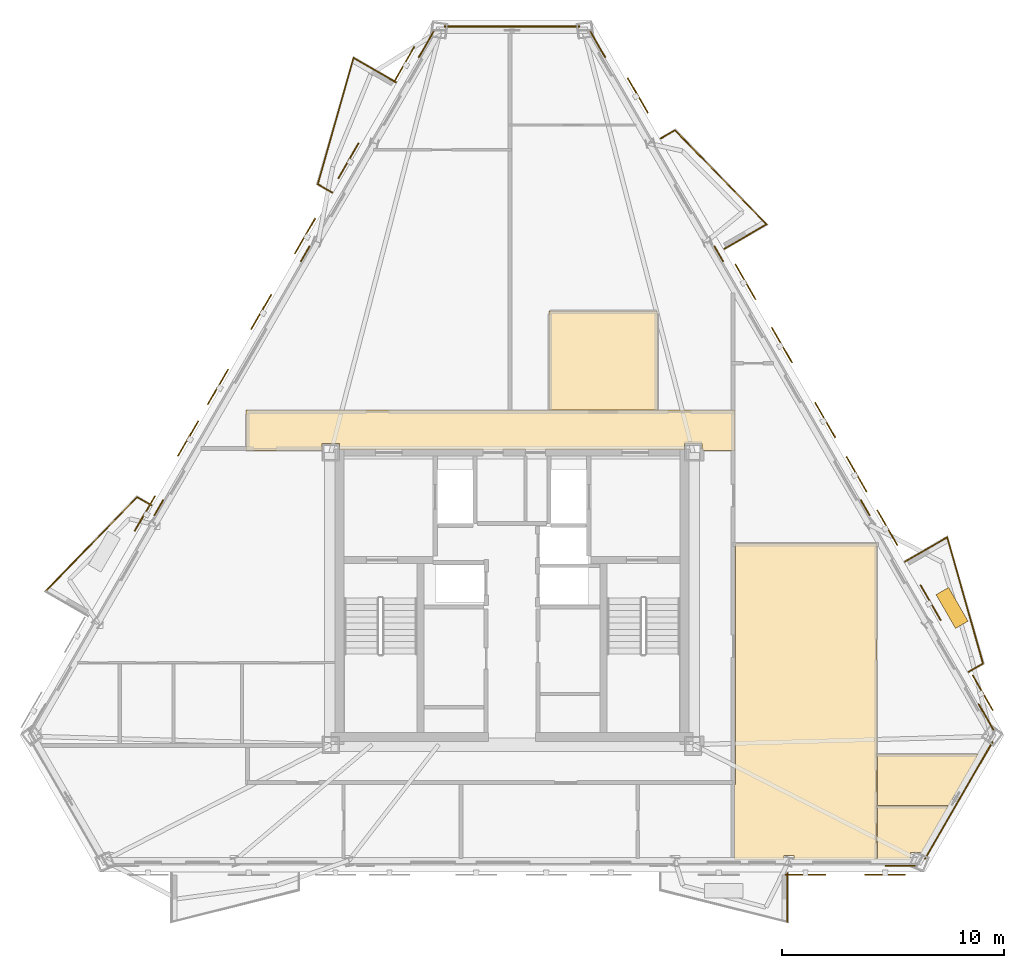
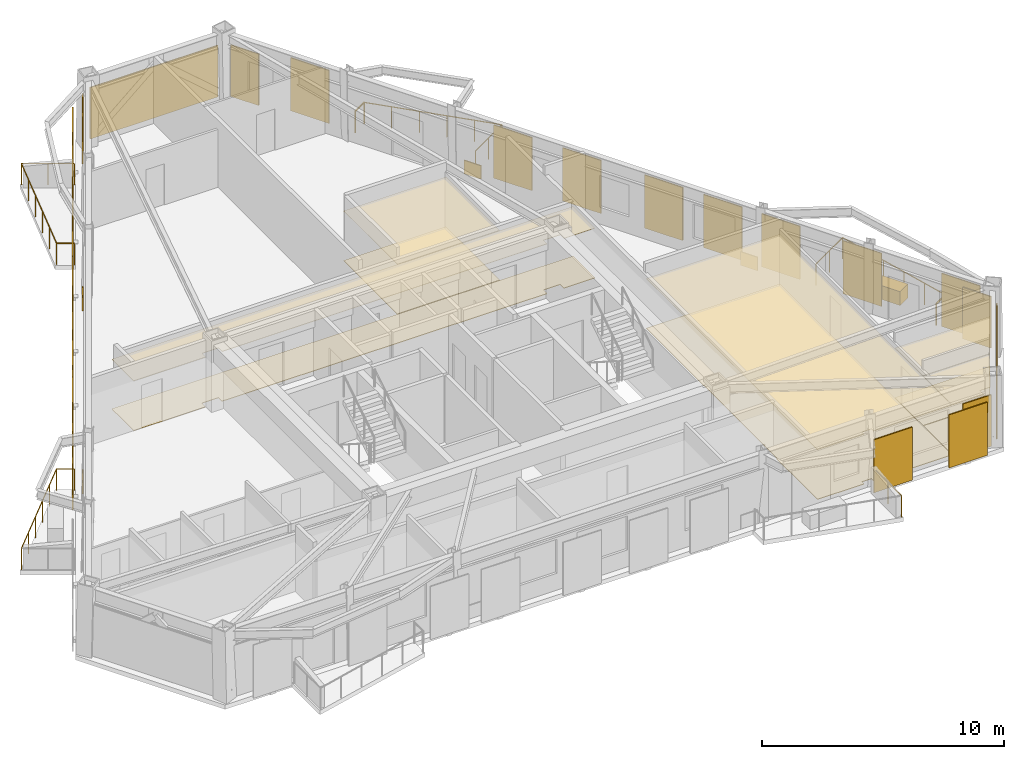
# One storey, part 9 of 9: 21 coverings, 17 shading devices, 12 railings.
"""IFC4 building model written with IfcOpenShell, lengths in metres."""

from ifc_helpers import new_model, si_unit, direction, frame, origin, origin_2d, place, context, subcontext, project, spatial, polyline, rectangle, circle, outline, extrude, material, layer, layer_set, type_object, element, save


model = new_model("IFC4")

# Units and contexts
model_context = context("Model", 3, precision=1e-05, world=origin(), true_north=direction((0.0, 1.0)))
body_context = subcontext(model_context, "Body", "Model", "MODEL_VIEW")
ifc_project = project(units=[si_unit("LENGTHUNIT", "METRE"), si_unit("AREAUNIT", "SQUARE_METRE"), si_unit("VOLUMEUNIT", "CUBIC_METRE"), si_unit("PLANEANGLEUNIT", "RADIAN"), si_unit("MASSUNIT", "GRAM", prefix="KILO")], contexts=[model_context])

# Site, building, storey
site_placement = place(None, origin())
site = spatial("IfcSite", under=ifc_project, at=site_placement, CompositionType="ELEMENT")
building_placement = place(site_placement, origin())
building = spatial("IfcBuilding", under=site, at=building_placement, Name="Oramaril Tower", CompositionType="ELEMENT")
storey_placement = place(building_placement, frame((0.0, 0.0, 219.89990234375)))
storey = spatial("IfcBuildingStorey", under=building, at=storey_placement, Name="L58", CompositionType="ELEMENT", Elevation=219.89990234375)

# Coverings
ifc_material_1 = material(Name="Mineral Fibre Acoustic Ceiling")
ifc_layer_1 = layer(ifc_material_1, 0.02001953125)
ifc_layer_set_1 = layer_set([ifc_layer_1], Name="CVT-CEIL")
covering_type_1 = type_object("IfcCoveringType", Name="CVT-CEIL", PredefinedType="CEILING", material=ifc_layer_set_1)
covering_1_placement = place(storey_placement, frame((0.0, 0.0, 2.51220703125)))
element("IfcCovering", 1, at=covering_1_placement, inside=storey, type_object=covering_type_1, Name="L58 Acoustic Suspended Ceiling 2", PredefinedType="CEILING", context=body_context, shape_type="SweptSolid", body=[
    extrude(outline(polyline([(47.530029296875, 24.239990234375), (46.044921875, 24.239990234375), (46.044921875, 24.544921875), (45.2548828125, 24.544921875), (45.2548828125, 24.25), (29.7451171875, 24.25), (29.7451171875, 24.544921875), (28.955078125, 24.544921875), (28.955078125, 24.239990234375), (25.52001953125, 24.239990234375), (25.52001953125, 26.050048828125), (47.530029296875, 26.050048828125), (47.530029296875, 24.239990234375)])), origin(), (0.0, 0.0, 1.0), 0.019775390625),
])
covering_2_placement = place(storey_placement, frame((0.0, 0.0, 2.51220703125)))
element("IfcCovering", 2, at=covering_2_placement, inside=storey, type_object=covering_type_1, Name="L58 Acoustic Suspended Ceiling 4", PredefinedType="CEILING", context=body_context, shape_type="SweptSolid", body=[
    extrude(outline(polyline([(44.0419921875, 30.511962890625), (44.0419921875, 26.070068359375), (39.157958984375, 26.070068359375), (39.157958984375, 30.511962890625), (44.0419921875, 30.511962890625)])), origin(), (0.0, 0.0, 1.0), 0.019775390625),
])
covering_3_placement = place(storey_placement, frame((0.0, 0.0, 2.51220703125)))
element("IfcCovering", 3, at=covering_3_placement, inside=storey, type_object=covering_type_1, Name="L58 Acoustic Suspended Ceiling 14", PredefinedType="CEILING", context=body_context, shape_type="SweptSolid", body=[
    extrude(outline(polyline([(53.926513671875, 20.0419921875), (53.926513671875, 5.826171875), (50.193359375, 5.826171875), (50.193359375, 6.00341796875), (49.73583984375, 6.00341796875), (49.73583984375, 5.826171875), (47.511962890625, 5.826171875), (47.511962890625, 9.199951171875), (47.530029296875, 9.199951171875), (47.531982421875, 9.2001953125), (47.533935546875, 9.200439453125), (47.535888671875, 9.200927734375), (47.53759765625, 9.201416015625), (47.539306640625, 9.202392578125), (47.541015625, 9.203369140625), (47.542724609375, 9.20458984375), (47.544189453125, 9.205810546875), (47.54541015625, 9.207275390625), (47.546630859375, 9.208984375), (47.547607421875, 9.210693359375), (47.548583984375, 9.21240234375), (47.549072265625, 9.214111328125), (47.549560546875, 9.216064453125), (47.5498046875, 9.218017578125), (47.550048828125, 9.219970703125), (47.550048828125, 11.030029296875), (47.5498046875, 11.031982421875), (47.549560546875, 11.033935546875), (47.549072265625, 11.035888671875), (47.548583984375, 11.03759765625), (47.547607421875, 11.039306640625), (47.54736328125, 11.0400390625), (47.547607421875, 11.04052734375), (47.548583984375, 11.042236328125), (47.549072265625, 11.044189453125), (47.549560546875, 11.046142578125), (47.5498046875, 11.048095703125), (47.550048828125, 11.050048828125), (47.550048828125, 20.0419921875), (53.926513671875, 20.0419921875)])), origin(), (0.0, 0.0, 1.0), 0.019775390625),
])
covering_4_placement = place(storey_placement, frame((0.0, 0.0, 2.51220703125)))
element("IfcCovering", 4, at=covering_4_placement, inside=storey, type_object=covering_type_1, Name="L58 Acoustic Suspended Ceiling 15", PredefinedType="CEILING", context=body_context, shape_type="SweptSolid", body=[
    extrude(outline(polyline([(55.94384765625, 6.154052734375), (55.44677734375, 6.154052734375), (55.44677734375, 5.826171875), (53.946533203125, 5.826171875), (53.946533203125, 8.22998046875), (57.142333984375, 8.22998046875), (55.94384765625, 6.154052734375)])), origin(), (0.0, 0.0, 1.0), 0.019775390625),
])
covering_5_placement = place(storey_placement, frame((0.0, 0.0, 2.51220703125)))
element("IfcCovering", 5, at=covering_5_placement, inside=storey, type_object=covering_type_1, Name="L58 Acoustic Suspended Ceiling 16", PredefinedType="CEILING", context=body_context, shape_type="SweptSolid", body=[
    extrude(outline(polyline([(57.15234375, 8.247314453125), (57.15185546875, 8.24755859375), (57.14990234375, 8.248291015625), (57.148193359375, 8.2490234375), (57.146240234375, 8.24951171875), (57.144287109375, 8.249755859375), (57.142333984375, 8.25), (53.946533203125, 8.25), (53.946533203125, 10.56591796875), (58.490966796875, 10.56591796875), (57.15234375, 8.247314453125)])), origin(), (0.0, 0.0, 1.0), 0.019775390625),
])
ifc_material_2 = material(Name="Warm Cream Limestone", Category="masonry")
ifc_layer_2 = layer(ifc_material_2, 0.050048828125)
ifc_layer_set_2 = layer_set([ifc_layer_2], Name="CVT-CLD")
covering_type_2 = type_object("IfcCoveringType", Name="CVT-CLD", PredefinedType="CLADDING", material=ifc_layer_set_2)
covering_6_placement = place(storey_placement, frame((54.966796875, 5.550048828125, 0.0400390625), z_axis=(0.0, 0.0, 1.0), x_axis=(1.0, 0.0, 0.0)))
element("IfcCovering", 6, at=covering_6_placement, inside=storey, type_object=covering_type_2, Name="L58 Warm Cream Limestone Cladding", PredefinedType="CLADDING", context=body_context, shape_type="SweptSolid", body=[
    extrude(rectangle(XDim=1.35009765625, YDim=0.050048828125, at=origin_2d()), origin(), (0.0, 0.0, 1.0), 2.596923828125),
])
covering_7_placement = place(storey_placement, frame((57.610595703125, 8.489013671875, 0.0400390625), z_axis=(0.0, 0.0, 1.0), x_axis=(0.499992442484, 0.866029767075, 0.0)))
element("IfcCovering", 7, at=covering_7_placement, inside=storey, type_object=covering_type_2, Name="L58 Warm Cream Limestone Cladding", PredefinedType="CLADDING", context=body_context, shape_type="SweptSolid", body=[
    extrude(rectangle(XDim=6.09326171875, YDim=0.050048828125, at=origin_2d()), origin(), (0.0, 0.0, 1.0), 2.596923828125),
])
for number, where, z_axis, x_axis, name in (
    (8, (58.833984375, 12.248291015625, 0.0400390625), (0.0, 0.0, 1.0), (-0.4999984885, 0.866026276448, 0.0), "L58 Warm Cream Limestone Cladding"),
    (9, (41.3671875, 42.501708984375, 0.0400390625), (0.0, 0.0, 1.0), (-0.4999984885, 0.866026276448, 0.0), "L58 Warm Cream Limestone Cladding"),
):
    element("IfcCovering", number, at=place(storey_placement, frame(where, z_axis=z_axis, x_axis=x_axis)), inside=storey, type_object=covering_type_2, Name=name, PredefinedType="CLADDING", context=body_context, shape_type="SweptSolid", body=[
        extrude(rectangle(XDim=1.35009765625, YDim=0.050048828125, at=origin_2d()), origin(), (0.0, 0.0, 1.0), 2.596923828125),
    ])
for number, where, z_axis, x_axis, name in (
    (10, (53.3974609375, 21.664306640625, 0.0400390625), (0.0, 0.0, 1.0), (-0.4999984885, 0.866026276448, 0.0), "L58 Warm Cream Limestone Spandrel Cladding"),
    (11, (46.803466796875, 33.085693359375, 0.0400390625), (0.0, 0.0, 1.0), (-0.4999984885, 0.866026276448, 0.0), "L58 Warm Cream Limestone Spandrel Cladding"),
):
    element("IfcCovering", number, at=place(storey_placement, frame(where, z_axis=z_axis, x_axis=x_axis)), inside=storey, type_object=covering_type_2, Name=name, PredefinedType="CLADDING", context=body_context, shape_type="SweptSolid", body=[
        extrude(rectangle(XDim=0.800048828125, YDim=0.050048828125, at=origin_2d()), origin(), (0.0, 0.0, 1.0), 0.679931640625),
    ])
covering_8_placement = place(storey_placement, frame((37.5, 43.32177734375, 0.0400390625), z_axis=(0.0, 0.0, 1.0), x_axis=(-1.0, 0.0, 0.0)))
element("IfcCovering", 12, at=covering_8_placement, inside=storey, type_object=covering_type_2, Name="L58 Warm Cream Limestone Cladding", PredefinedType="CLADDING", context=body_context, shape_type="SweptSolid", body=[
    extrude(rectangle(XDim=6.09326171875, YDim=0.050048828125, at=origin_2d()), origin(), (0.0, 0.0, 1.0), 2.596923828125),
])
covering_9_placement = place(storey_placement, frame((33.6328125, 42.501708984375, 0.0400390625), z_axis=(0.0, 0.0, 1.0), x_axis=(-0.4999984885, -0.866026276448, 0.0)))
element("IfcCovering", 13, at=covering_9_placement, inside=storey, type_object=covering_type_2, Name="L58 Warm Cream Limestone Cladding", PredefinedType="CLADDING", context=body_context, shape_type="SweptSolid", body=[
    extrude(rectangle(XDim=1.35009765625, YDim=0.050048828125, at=origin_2d()), origin(), (0.0, 0.0, 1.0), 2.596923828125),
])
for number, where, z_axis, x_axis, name in (
    (14, (28.196533203125, 33.085693359375, 0.0400390625), (0.0, 0.0, 1.0), (-0.4999984885, -0.866026276448, 0.0), "L58 Warm Cream Limestone Spandrel Cladding"),
    (15, (21.6025390625, 21.664306640625, 0.0400390625), (0.0, 0.0, 1.0), (-0.4999984885, -0.866026276448, 0.0), "L58 Warm Cream Limestone Spandrel Cladding"),
):
    element("IfcCovering", number, at=place(storey_placement, frame(where, z_axis=z_axis, x_axis=x_axis)), inside=storey, type_object=covering_type_2, Name=name, PredefinedType="CLADDING", context=body_context, shape_type="SweptSolid", body=[
        extrude(rectangle(XDim=0.800048828125, YDim=0.050048828125, at=origin_2d()), origin(), (0.0, 0.0, 1.0), 0.679931640625),
    ])
covering_10_placement = place(storey_placement, frame((57.306640625, 17.150634765625, 0.0), z_axis=(0.0, 0.0, 1.0), x_axis=(-0.5, 0.866025403784, 0.0)))
element("IfcCovering", 16, at=covering_10_placement, inside=storey, type_object=covering_type_2, Name="L58 Structural Tree Planter Box L58-BAL-NE1", PredefinedType="CLADDING", context=body_context, shape_type="SweptSolid", body=[
    extrude(rectangle(XDim=1.75, YDim=0.64990234375, at=origin_2d()), origin(), (0.0, 0.0, 1.0), 0.699951171875),
])
ifc_material_3 = material(Name="Honed Quartzite Stone Flooring", Category="masonry")
ifc_layer_3 = layer(ifc_material_3, 0.02490234375)
ifc_layer_set_3 = layer_set([ifc_layer_3], Name="CVT-FLR")
covering_type_3 = type_object("IfcCoveringType", Name="CVT-FLR", PredefinedType="FLOORING", material=ifc_layer_set_3)
covering_11_placement = place(storey_placement, origin())
element("IfcCovering", 17, at=covering_11_placement, inside=storey, type_object=covering_type_3, Name="L58 Honed Stone Floor Finish 2", PredefinedType="FLOORING", context=body_context, shape_type="SweptSolid", body=[
    extrude(outline(polyline([(47.530029296875, 24.239990234375), (46.044921875, 24.239990234375), (46.044921875, 24.544921875), (45.2548828125, 24.544921875), (45.2548828125, 24.25), (29.7451171875, 24.25), (29.7451171875, 24.544921875), (28.955078125, 24.544921875), (28.955078125, 24.239990234375), (25.52001953125, 24.239990234375), (25.52001953125, 26.050048828125), (47.530029296875, 26.050048828125), (47.530029296875, 24.239990234375)])), origin(), (0.0, 0.0, 1.0), 0.025146484375),
])
covering_12_placement = place(storey_placement, origin())
element("IfcCovering", 18, at=covering_12_placement, inside=storey, type_object=covering_type_3, Name="L58 Honed Stone Floor Finish 4", PredefinedType="FLOORING", context=body_context, shape_type="SweptSolid", body=[
    extrude(outline(polyline([(44.0419921875, 30.511962890625), (44.0419921875, 26.070068359375), (39.157958984375, 26.070068359375), (39.157958984375, 30.511962890625), (44.0419921875, 30.511962890625)])), origin(), (0.0, 0.0, 1.0), 0.025146484375),
])
covering_13_placement = place(storey_placement, origin())
element("IfcCovering", 19, at=covering_13_placement, inside=storey, type_object=covering_type_3, Name="L58 Honed Stone Floor Finish 14", PredefinedType="FLOORING", context=body_context, shape_type="SweptSolid", body=[
    extrude(outline(polyline([(53.926513671875, 20.0419921875), (53.926513671875, 5.826171875), (50.193359375, 5.826171875), (50.193359375, 6.00341796875), (49.73583984375, 6.00341796875), (49.73583984375, 5.826171875), (47.511962890625, 5.826171875), (47.511962890625, 9.199951171875), (47.530029296875, 9.199951171875), (47.531982421875, 9.2001953125), (47.533935546875, 9.200439453125), (47.535888671875, 9.200927734375), (47.53759765625, 9.201416015625), (47.539306640625, 9.202392578125), (47.541015625, 9.203369140625), (47.542724609375, 9.20458984375), (47.544189453125, 9.205810546875), (47.54541015625, 9.207275390625), (47.546630859375, 9.208984375), (47.547607421875, 9.210693359375), (47.548583984375, 9.21240234375), (47.549072265625, 9.214111328125), (47.549560546875, 9.216064453125), (47.5498046875, 9.218017578125), (47.550048828125, 9.219970703125), (47.550048828125, 11.030029296875), (47.5498046875, 11.031982421875), (47.549560546875, 11.033935546875), (47.549072265625, 11.035888671875), (47.548583984375, 11.03759765625), (47.547607421875, 11.039306640625), (47.54736328125, 11.0400390625), (47.547607421875, 11.04052734375), (47.548583984375, 11.042236328125), (47.549072265625, 11.044189453125), (47.549560546875, 11.046142578125), (47.5498046875, 11.048095703125), (47.550048828125, 11.050048828125), (47.550048828125, 20.0419921875), (53.926513671875, 20.0419921875)])), origin(), (0.0, 0.0, 1.0), 0.025146484375),
])
covering_14_placement = place(storey_placement, origin())
element("IfcCovering", 20, at=covering_14_placement, inside=storey, type_object=covering_type_3, Name="L58 Honed Stone Floor Finish 15", PredefinedType="FLOORING", context=body_context, shape_type="SweptSolid", body=[
    extrude(outline(polyline([(55.94384765625, 6.154052734375), (55.44677734375, 6.154052734375), (55.44677734375, 5.826171875), (53.946533203125, 5.826171875), (53.946533203125, 8.22998046875), (57.142333984375, 8.22998046875), (55.94384765625, 6.154052734375)])), origin(), (0.0, 0.0, 1.0), 0.025146484375),
])
covering_15_placement = place(storey_placement, origin())
element("IfcCovering", 21, at=covering_15_placement, inside=storey, type_object=covering_type_3, Name="L58 Honed Stone Floor Finish 16", PredefinedType="FLOORING", context=body_context, shape_type="SweptSolid", body=[
    extrude(outline(polyline([(57.15234375, 8.247314453125), (57.15185546875, 8.24755859375), (57.14990234375, 8.248291015625), (57.148193359375, 8.2490234375), (57.146240234375, 8.24951171875), (57.144287109375, 8.249755859375), (57.142333984375, 8.25), (53.946533203125, 8.25), (53.946533203125, 10.56591796875), (58.490966796875, 10.56591796875), (57.15234375, 8.247314453125)])), origin(), (0.0, 0.0, 1.0), 0.025146484375),
])

# Railings
ifc_material_4 = material(Name="Stainless Steel 316L", Category="steel")
railing_type = type_object("IfcRailingType", Name="RLT-GRD", PredefinedType="GUARDRAIL", material=ifc_material_4)
railing_1_placement = place(storey_placement, frame((49.8974609375, 5.210205078125, 0.0)))
element("IfcRailing", 22, at=railing_1_placement, inside=storey, type_object=railing_type, Name="L58 Balcony Guardrail L58-BAL-S2.1", PredefinedType="GUARDRAIL", context=body_context, shape_type="SweptSolid", body=[
    extrude(circle(Radius=0.02392578125, at=origin_2d()), frame((0.0, 0.0, 1.076171875), z_axis=(0.0, -1.0, 0.0), x_axis=(1.0, 0.0, 0.0)), (0.0, 0.0, 1.0), 2.192138671875),
    extrude(circle(Radius=0.02099609375, at=origin_2d()), origin(), (0.0, 0.0, 1.0), 1.052001953125),
    extrude(circle(Radius=0.02099609375, at=origin_2d()), frame((0.0, -1.09619140625, 0.0)), (0.0, 0.0, 1.0), 1.052001953125),
    extrude(circle(Radius=0.02099609375, at=origin_2d()), frame((0.0, -2.192138671875, 0.0)), (0.0, 0.0, 1.0), 1.052001953125),
])
railing_2_placement = place(storey_placement, frame((55.191162109375, 19.237548828125, 0.0)))
element("IfcRailing", 23, at=railing_2_placement, inside=storey, type_object=railing_type, Name="L58 Balcony Guardrail L58-BAL-NE1.1", PredefinedType="GUARDRAIL", context=body_context, shape_type="SweptSolid", body=[
    extrude(circle(Radius=0.02392578125, at=origin_2d()), frame((0.0, 0.0, 1.076171875), z_axis=(0.866048343933, 0.499960264392, 0.0), x_axis=(-0.499960264392, 0.866048343933, 0.0)), (0.0, 0.0, 1.0), 2.192138671875),
    extrude(circle(Radius=0.02099609375, at=origin_2d()), origin(), (0.0, 0.0, 1.0), 1.052001953125),
    extrude(circle(Radius=0.02099609375, at=origin_2d()), frame((0.94921875, 0.5478515625, 0.0)), (0.0, 0.0, 1.0), 1.052001953125),
    extrude(circle(Radius=0.02099609375, at=origin_2d()), frame((1.8984375, 1.095947265625, 0.0)), (0.0, 0.0, 1.0), 1.052001953125),
])
railing_3_placement = place(storey_placement, frame((57.089599609375, 20.33349609375, 0.0)))
element("IfcRailing", 24, at=railing_3_placement, inside=storey, type_object=railing_type, Name="L58 Balcony Guardrail L58-BAL-NE1.2", PredefinedType="GUARDRAIL", context=body_context, shape_type="SweptSolid", body=[
    extrude(circle(Radius=0.02392578125, at=origin_2d()), frame((0.0, 0.0, 1.076171875), z_axis=(0.272259686627, -0.962223811303, 0.0), x_axis=(0.962223811303, 0.272259686627, 0.0)), (0.0, 0.0, 1.0), 5.910400390625),
    extrude(circle(Radius=0.02099609375, at=origin_2d()), origin(), (0.0, 0.0, 1.0), 1.052001953125),
    extrude(circle(Radius=0.02099609375, at=origin_2d()), frame((0.32177734375, -1.137451171875, 0.0)), (0.0, 0.0, 1.0), 1.052001953125),
    extrude(circle(Radius=0.02099609375, at=origin_2d()), frame((0.6435546875, -2.27490234375, 0.0)), (0.0, 0.0, 1.0), 1.052001953125),
    extrude(circle(Radius=0.02099609375, at=origin_2d()), frame((0.965576171875, -3.412109375, 0.0)), (0.0, 0.0, 1.0), 1.052001953125),
    extrude(circle(Radius=0.02099609375, at=origin_2d()), frame((1.287353515625, -4.549560546875, 0.0)), (0.0, 0.0, 1.0), 1.052001953125),
    extrude(circle(Radius=0.02099609375, at=origin_2d()), frame((1.609130859375, -5.68701171875, 0.0)), (0.0, 0.0, 1.0), 1.052001953125),
])
railing_4_placement = place(storey_placement, frame((58.69873046875, 14.646484375, 0.0)))
element("IfcRailing", 25, at=railing_4_placement, inside=storey, type_object=railing_type, Name="L58 Balcony Guardrail L58-BAL-NE1.3", PredefinedType="GUARDRAIL", context=body_context, shape_type="SweptSolid", body=[
    extrude(circle(Radius=0.02392578125, at=origin_2d()), frame((0.0, 0.0, 1.076171875), z_axis=(-0.865966403178, -0.500102178127, 0.0), x_axis=(0.500102178127, -0.865966403178, 0.0)), (0.0, 0.0, 1.0), 0.741943359375),
    extrude(circle(Radius=0.02099609375, at=origin_2d()), origin(), (0.0, 0.0, 1.0), 1.052001953125),
    extrude(circle(Radius=0.02099609375, at=origin_2d()), frame((-0.642578125, -0.37109375, 0.0)), (0.0, 0.0, 1.0), 1.052001953125),
])
railing_5_placement = place(storey_placement, frame((44.1962890625, 38.281494140625, 0.0)))
element("IfcRailing", 26, at=railing_5_placement, inside=storey, type_object=railing_type, Name="L58 Balcony Guardrail L58-BAL-NE2.1", PredefinedType="GUARDRAIL", context=body_context, shape_type="SweptSolid", body=[
    extrude(circle(Radius=0.02392578125, at=origin_2d()), frame((0.0, 0.0, 1.076171875), z_axis=(0.866108878364, 0.499855389907, 0.0), x_axis=(-0.499855389907, 0.866108878364, 0.0)), (0.0, 0.0, 1.0), 0.741943359375),
    extrude(circle(Radius=0.02099609375, at=origin_2d()), origin(), (0.0, 0.0, 1.0), 1.052001953125),
    extrude(circle(Radius=0.02099609375, at=origin_2d()), frame((0.642578125, 0.370849609375, 0.0)), (0.0, 0.0, 1.0), 1.052001953125),
])
railing_6_placement = place(storey_placement, frame((44.8388671875, 38.65234375, 0.0)))
element("IfcRailing", 27, at=railing_6_placement, inside=storey, type_object=railing_type, Name="L58 Balcony Guardrail L58-BAL-NE2.2", PredefinedType="GUARDRAIL", context=body_context, shape_type="SweptSolid", body=[
    extrude(circle(Radius=0.02392578125, at=origin_2d()), frame((0.0, 0.0, 1.076171875), z_axis=(0.697186915353, -0.716889395277, 0.0), x_axis=(0.716889395277, 0.697186915353, 0.0)), (0.0, 0.0, 1.0), 5.91064453125),
    extrude(circle(Radius=0.02099609375, at=origin_2d()), origin(), (0.0, 0.0, 1.0), 1.052001953125),
    extrude(circle(Radius=0.02099609375, at=origin_2d()), frame((0.82421875, -0.847412109375, 0.0)), (0.0, 0.0, 1.0), 1.052001953125),
    extrude(circle(Radius=0.02099609375, at=origin_2d()), frame((1.6484375, -1.69482421875, 0.0)), (0.0, 0.0, 1.0), 1.052001953125),
    extrude(circle(Radius=0.02099609375, at=origin_2d()), frame((2.472412109375, -2.54248046875, 0.0)), (0.0, 0.0, 1.0), 1.052001953125),
    extrude(circle(Radius=0.02099609375, at=origin_2d()), frame((3.296630859375, -3.389892578125, 0.0)), (0.0, 0.0, 1.0), 1.052001953125),
    extrude(circle(Radius=0.02099609375, at=origin_2d()), frame((4.120849609375, -4.2373046875, 0.0)), (0.0, 0.0, 1.0), 1.052001953125),
])
railing_7_placement = place(storey_placement, frame((48.959716796875, 34.4150390625, 0.0)))
element("IfcRailing", 28, at=railing_7_placement, inside=storey, type_object=railing_type, Name="L58 Balcony Guardrail L58-BAL-NE2.3", PredefinedType="GUARDRAIL", context=body_context, shape_type="SweptSolid", body=[
    extrude(circle(Radius=0.02392578125, at=origin_2d()), frame((0.0, 0.0, 1.076171875), z_axis=(-0.866048343933, -0.499960264392, 0.0), x_axis=(0.499960264392, -0.866048343933, 0.0)), (0.0, 0.0, 1.0), 2.192138671875),
    extrude(circle(Radius=0.02099609375, at=origin_2d()), origin(), (0.0, 0.0, 1.0), 1.052001953125),
    extrude(circle(Radius=0.02099609375, at=origin_2d()), frame((-0.94921875, -0.5478515625, 0.0)), (0.0, 0.0, 1.0), 1.052001953125),
    extrude(circle(Radius=0.02099609375, at=origin_2d()), frame((-1.8984375, -1.095947265625, 0.0)), (0.0, 0.0, 1.0), 1.052001953125),
])
railing_8_placement = place(storey_placement, frame((29.401123046875, 35.852294921875, 0.0)))
element("IfcRailing", 29, at=railing_8_placement, inside=storey, type_object=railing_type, Name="L58 Balcony Guardrail L58-BAL-NW1.1", PredefinedType="GUARDRAIL", context=body_context, shape_type="SweptSolid", body=[
    extrude(circle(Radius=0.02392578125, at=origin_2d()), frame((0.0, 0.0, 1.076171875), z_axis=(-0.865884080729, 0.500244698863, 0.0), x_axis=(-0.500244698863, -0.865884080729, 0.0)), (0.0, 0.0, 1.0), 0.741943359375),
    extrude(circle(Radius=0.02099609375, at=origin_2d()), origin(), (0.0, 0.0, 1.0), 1.052001953125),
    extrude(circle(Radius=0.02099609375, at=origin_2d()), frame((-0.642333984375, 0.37109375, 0.0)), (0.0, 0.0, 1.0), 1.052001953125),
])
railing_9_placement = place(storey_placement, frame((28.7587890625, 36.223388671875, 0.0)))
element("IfcRailing", 30, at=railing_9_placement, inside=storey, type_object=railing_type, Name="L58 Balcony Guardrail L58-BAL-NW1.2", PredefinedType="GUARDRAIL", context=body_context, shape_type="SweptSolid", body=[
    extrude(circle(Radius=0.02392578125, at=origin_2d()), frame((0.0, 0.0, 1.076171875), z_axis=(0.272259686627, 0.962223811303, 0.0), x_axis=(-0.962223811303, 0.272259686627, 0.0)), (0.0, 0.0, 1.0), 5.910400390625),
    extrude(circle(Radius=0.02099609375, at=origin_2d()), origin(), (0.0, 0.0, 1.0), 1.052001953125),
    extrude(circle(Radius=0.02099609375, at=origin_2d()), frame((0.32177734375, 1.137451171875, 0.0)), (0.0, 0.0, 1.0), 1.052001953125),
    extrude(circle(Radius=0.02099609375, at=origin_2d()), frame((0.6435546875, 2.27490234375, 0.0)), (0.0, 0.0, 1.0), 1.052001953125),
    extrude(circle(Radius=0.02099609375, at=origin_2d()), frame((0.965576171875, 3.412109375, 0.0)), (0.0, 0.0, 1.0), 1.052001953125),
    extrude(circle(Radius=0.02099609375, at=origin_2d()), frame((1.287353515625, 4.549560546875, 0.0)), (0.0, 0.0, 1.0), 1.052001953125),
    extrude(circle(Radius=0.02099609375, at=origin_2d()), frame((1.609130859375, 5.68701171875, 0.0)), (0.0, 0.0, 1.0), 1.052001953125),
])
railing_10_placement = place(storey_placement, frame((30.367919921875, 41.910400390625, 0.0)))
element("IfcRailing", 31, at=railing_10_placement, inside=storey, type_object=railing_type, Name="L58 Balcony Guardrail L58-BAL-NW1.3", PredefinedType="GUARDRAIL", context=body_context, shape_type="SweptSolid", body=[
    extrude(circle(Radius=0.02392578125, at=origin_2d()), frame((0.0, 0.0, 1.076171875), z_axis=(0.866020500697, -0.5000084923, 0.0), x_axis=(0.5000084923, 0.866020500697, 0.0)), (0.0, 0.0, 1.0), 2.19189453125),
    extrude(circle(Radius=0.02099609375, at=origin_2d()), origin(), (0.0, 0.0, 1.0), 1.052001953125),
    extrude(circle(Radius=0.02099609375, at=origin_2d()), frame((0.94921875, -0.5478515625, 0.0)), (0.0, 0.0, 1.0), 1.052001953125),
    extrude(circle(Radius=0.02099609375, at=origin_2d()), frame((1.898193359375, -1.095947265625, 0.0)), (0.0, 0.0, 1.0), 1.052001953125),
])
railing_11_placement = place(storey_placement, frame((16.508056640625, 17.904541015625, 0.0)))
element("IfcRailing", 32, at=railing_11_placement, inside=storey, type_object=railing_type, Name="L58 Balcony Guardrail L58-BAL-NW2.2", PredefinedType="GUARDRAIL", context=body_context, shape_type="SweptSolid", body=[
    extrude(circle(Radius=0.02392578125, at=origin_2d()), frame((0.0, 0.0, 1.076171875), z_axis=(0.697186915353, 0.716889395277, 0.0), x_axis=(-0.716889395277, 0.697186915353, 0.0)), (0.0, 0.0, 1.0), 5.91064453125),
    extrude(circle(Radius=0.02099609375, at=origin_2d()), origin(), (0.0, 0.0, 1.0), 1.052001953125),
    extrude(circle(Radius=0.02099609375, at=origin_2d()), frame((0.82421875, 0.847412109375, 0.0)), (0.0, 0.0, 1.0), 1.052001953125),
    extrude(circle(Radius=0.02099609375, at=origin_2d()), frame((1.6484375, 1.69482421875, 0.0)), (0.0, 0.0, 1.0), 1.052001953125),
    extrude(circle(Radius=0.02099609375, at=origin_2d()), frame((2.472412109375, 2.54248046875, 0.0)), (0.0, 0.0, 1.0), 1.052001953125),
    extrude(circle(Radius=0.02099609375, at=origin_2d()), frame((3.296630859375, 3.389892578125, 0.0)), (0.0, 0.0, 1.0), 1.052001953125),
    extrude(circle(Radius=0.02099609375, at=origin_2d()), frame((4.120849609375, 4.2373046875, 0.0)), (0.0, 0.0, 1.0), 1.052001953125),
])
railing_12_placement = place(storey_placement, frame((20.62890625, 22.141845703125, 0.0)))
element("IfcRailing", 33, at=railing_12_placement, inside=storey, type_object=railing_type, Name="L58 Balcony Guardrail L58-BAL-NW2.3", PredefinedType="GUARDRAIL", context=body_context, shape_type="SweptSolid", body=[
    extrude(circle(Radius=0.02392578125, at=origin_2d()), frame((0.0, 0.0, 1.076171875), z_axis=(0.865884080729, -0.500244698863, 0.0), x_axis=(0.500244698863, 0.865884080729, 0.0)), (0.0, 0.0, 1.0), 0.741943359375),
    extrude(circle(Radius=0.02099609375, at=origin_2d()), origin(), (0.0, 0.0, 1.0), 1.052001953125),
    extrude(circle(Radius=0.02099609375, at=origin_2d()), frame((0.642333984375, -0.37109375, 0.0)), (0.0, 0.0, 1.0), 1.052001953125),
])

# Shading devices
for number, where, z_axis, x_axis, name in (
    (34, (50.7080078125, 5.13818359375, -0.02001953125), (0.0, 0.0, 1.0), (1.0, 0.0, 0.0), "L58 Perforated Ceramic Solar Screen"),
    (35, (54.294189453125, 5.13818359375, -0.02001953125), (0.0, 0.0, 1.0), (1.0, 0.0, 0.0), "L58 Perforated Ceramic Solar Screen"),
    (36, (56.343017578125, 17.38623046875, -0.02001953125), (0.0, 0.0, 1.0), (-0.4999984885, 0.866026276448, 0.0), "L58 Perforated Ceramic Solar Screen"),
    (37, (54.393310546875, 20.763916015625, -0.02001953125), (0.0, 0.0, 1.0), (-0.4999984885, 0.866026276448, 0.0), "L58 Perforated Ceramic Solar Screen"),
    (38, (58.6845703125, 13.330810546875, -0.02001953125), (0.0, 0.0, 1.0), (-0.4999984885, 0.866026276448, 0.0), "L58 Perforated Ceramic Solar Screen"),
    (39, (53.0078125, 23.163330078125, -0.02001953125), (0.0, 0.0, 1.0), (-0.4999984885, 0.866026276448, 0.0), "L58 Perforated Ceramic Solar Screen"),
    (40, (51.59814453125, 25.60498046875, -0.02001953125), (0.0, 0.0, 1.0), (-0.4999984885, 0.866026276448, 0.0), "L58 Perforated Ceramic Solar Screen"),
    (41, (49.648193359375, 28.982421875, -0.02001953125), (0.0, 0.0, 1.0), (-0.4999984885, 0.866026276448, 0.0), "L58 Perforated Ceramic Solar Screen"),
    (42, (48.004150390625, 31.829833984375, -0.02001953125), (0.0, 0.0, 1.0), (-0.4999984885, 0.866026276448, 0.0), "L58 Perforated Ceramic Solar Screen"),
    (43, (43.162109375, 40.216552734375, -0.02001953125), (0.0, 0.0, 1.0), (-0.4999984885, 0.866026276448, 0.0), "L58 Perforated Ceramic Solar Screen"),
    (44, (22.92431640625, 24.77783203125, -0.02001953125), (0.0, 0.0, 1.0), (-0.4999984885, -0.866026276448, 0.0), "L58 Perforated Ceramic Solar Screen"),
    (45, (20.974365234375, 21.400390625, -0.02001953125), (0.0, 0.0, 1.0), (-0.4999984885, -0.866026276448, 0.0), "L58 Perforated Ceramic Solar Screen"),
    (46, (30.138916015625, 37.273681640625, -0.02001953125), (0.0, 0.0, 1.0), (-0.4999984885, -0.866026276448, 0.0), "L58 Perforated Ceramic Solar Screen"),
    (47, (28.188720703125, 33.89599609375, -0.02001953125), (0.0, 0.0, 1.0), (-0.4999984885, -0.866026276448, 0.0), "L58 Perforated Ceramic Solar Screen"),
    (48, (26.211669921875, 30.471435546875, -0.02001953125), (0.0, 0.0, 1.0), (-0.4999984885, -0.866026276448, 0.0), "L58 Perforated Ceramic Solar Screen"),
    (49, (24.26171875, 27.093994140625, -0.02001953125), (0.0, 0.0, 1.0), (-0.4999984885, -0.866026276448, 0.0), "L58 Perforated Ceramic Solar Screen"),
    (50, (32.651123046875, 41.625, -0.02001953125), (0.0, 0.0, 1.0), (-0.4999984885, -0.866026276448, 0.0), "L58 Perforated Ceramic Solar Screen"),
):
    element("IfcShadingDevice", number, at=place(storey_placement, frame(where, z_axis=z_axis, x_axis=x_axis)), inside=storey, Name=name, ObjectType="SCREEN", PredefinedType="USERDEFINED", context=body_context, shape_type="SweptSolid", body=[
        extrude(rectangle(XDim=1.8330078125, YDim=0.050048828125, at=origin_2d()), origin(), (0.0, 0.0, 1.0), 2.677001953125),
    ])

save(model, "model.ifc")
